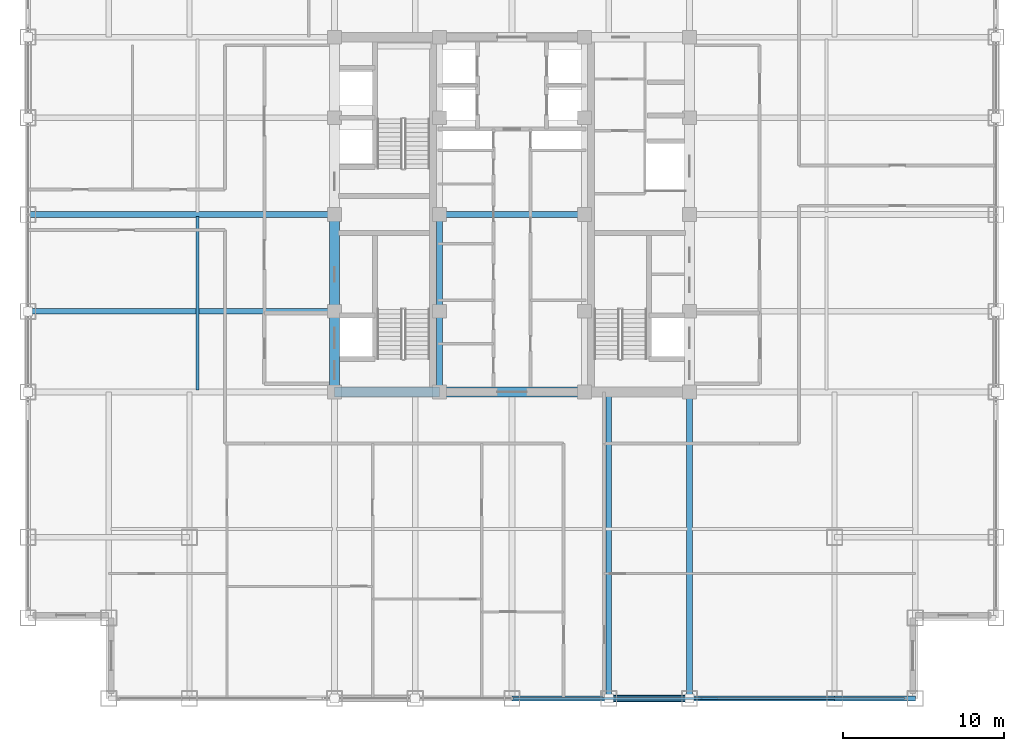
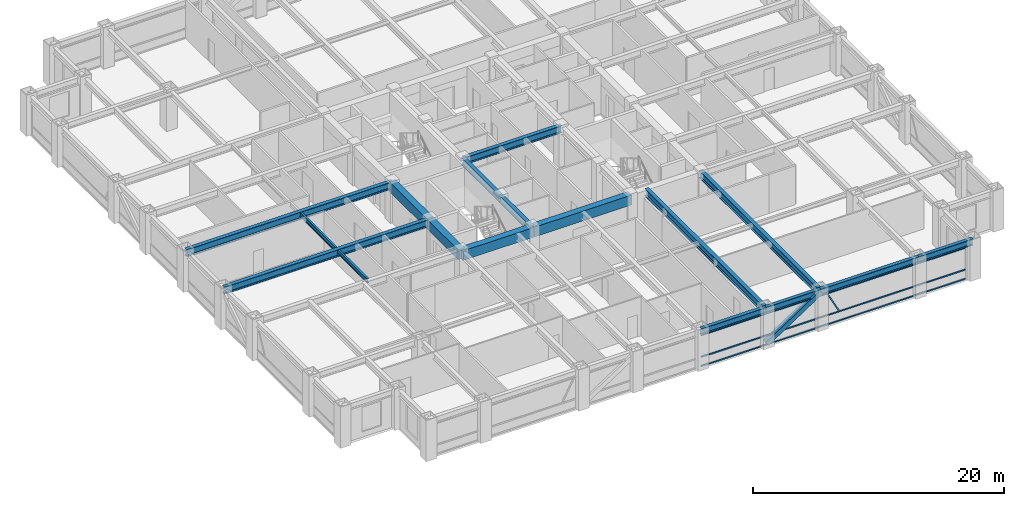
# One storey, part 7 of 24: 16 beams, 5 members, 1 element without a shape of its own.
"""IFC4 building model written with IfcOpenShell, lengths in metres."""

from ifc_helpers import new_model, si_unit, direction, frame, origin, origin_2d, place, context, subcontext, project, spatial, rectangle, hollow_rectangle, i_section, extrude, source, transform, mapped, material, material_profile, profile_set, type_object, element, aggregate, save


model = new_model("IFC4")

# Units and contexts
model_context = context("Model", 3, precision=1e-05, world=origin(), true_north=direction((0.0, 1.0)))
body_context = subcontext(model_context, "Body", "Model", "MODEL_VIEW")
ifc_project = project(units=[si_unit("LENGTHUNIT", "METRE"), si_unit("AREAUNIT", "SQUARE_METRE"), si_unit("VOLUMEUNIT", "CUBIC_METRE"), si_unit("PLANEANGLEUNIT", "RADIAN"), si_unit("MASSUNIT", "GRAM", prefix="KILO")], contexts=[model_context])

# Site, building, storey
site_placement = place(None, origin())
site = spatial("IfcSite", under=ifc_project, at=site_placement, CompositionType="ELEMENT")
building_placement = place(site_placement, origin())
building = spatial("IfcBuilding", under=site, at=building_placement, Name="Khorayat Bourse Tower", CompositionType="ELEMENT")
storey_placement = place(building_placement, frame((0.0, 0.0, 211.10009765625)))
storey = spatial("IfcBuildingStorey", under=building, at=storey_placement, Name="L49", CompositionType="ELEMENT", Elevation=211.10009765625)

# Beams
ifc_material_1 = material(Name="Steel ASTM A992 Grade 50", Category="steel")
ifc_material_profile_1 = material_profile(ifc_material_1, i_section(OverallWidth=0.35498046875, OverallDepth=0.695068359375, WebThickness=0.015380859375, FlangeThickness=0.02490234375, FilletRadius=0.01806640625, at=origin_2d()), Name="W690X217")
ifc_profile_set_1 = profile_set([ifc_material_profile_1], Name="Steel ASTM A992 Grade 50")
beam_type_1 = type_object("IfcBeamType", Name="BM-GIRD-690", PredefinedType="BEAM", material=ifc_profile_set_1)
shared_shape_1 = source(origin(), body_context, "Body", "SweptSolid", [
    extrude(i_section(OverallWidth=0.35498046875, OverallDepth=0.695068359375, WebThickness=0.015380859375, FlangeThickness=0.02490234375, FilletRadius=0.01806640625, at=origin_2d()), origin(), (0.0, 0.0, 1.0), 5.0),
])
beam_1_placement = place(storey_placement, frame((-4.5, -11.0, 3.432373046875), z_axis=(0.0, 1.0, 0.0), x_axis=(-1.0, 0.0, 0.0)))
element("IfcBeam", 1, at=beam_1_placement, inside=storey, type_object=beam_type_1, Name="L49 BM-GIRD-690 BM-L49-CRX-05", PredefinedType="BEAM", context=body_context, shape_type="MappedRepresentation", body=[
    mapped(shared_shape_1, transform((0.0, 0.0, 0.0), scale=1.0)),
])
shared_shape_2 = source(origin(), body_context, "Body", "SweptSolid", [
    extrude(i_section(OverallWidth=0.35498046875, OverallDepth=0.695068359375, WebThickness=0.015380859375, FlangeThickness=0.02490234375, FilletRadius=0.01806640625, at=origin_2d()), origin(), (0.0, 0.0, 1.0), 6.0),
])
beam_2_placement = place(storey_placement, frame((-4.5, -6.0, 3.432373046875), z_axis=(0.0, 1.0, 0.0), x_axis=(-1.0, 0.0, 0.0)))
element("IfcBeam", 2, at=beam_2_placement, inside=storey, type_object=beam_type_1, Name="L49 BM-GIRD-690 BM-L49-CRX-06", PredefinedType="BEAM", context=body_context, shape_type="MappedRepresentation", body=[
    mapped(shared_shape_2, transform((0.0, 0.0, 0.0), scale=1.0)),
])
shared_shape_3 = source(origin(), body_context, "Body", "SweptSolid", [
    extrude(i_section(OverallWidth=0.35498046875, OverallDepth=0.695068359375, WebThickness=0.015380859375, FlangeThickness=0.02490234375, FilletRadius=0.01806640625, at=origin_2d()), origin(), (0.0, 0.0, 1.0), 9.0),
])
beam_3_placement = place(storey_placement, frame((-4.5, 0.0, 3.432373046875), z_axis=(1.0, 0.0, 0.0), x_axis=(0.0, 1.0, 0.0)))
element("IfcBeam", 3, at=beam_3_placement, inside=storey, type_object=beam_type_1, Name="L49 BM-GIRD-690 BM-L49-CRY-23", PredefinedType="BEAM", context=body_context, shape_type="MappedRepresentation", body=[
    mapped(shared_shape_3, transform((0.0, 0.0, 0.0), scale=1.0)),
])
ifc_material_profile_2 = material_profile(ifc_material_1, i_section(OverallWidth=0.180908203125, OverallDepth=0.4169921875, WebThickness=0.010986328125, FlangeThickness=0.018310546875, FilletRadius=0.011962890625, at=origin_2d()), Name="W410X85")
ifc_profile_set_2 = profile_set([ifc_material_profile_2], Name="Steel ASTM A992 Grade 50")
beam_type_2 = type_object("IfcBeamType", Name="BM-JOIST-410", PredefinedType="JOIST", material=ifc_profile_set_2)
shared_shape_4 = source(origin(), body_context, "Body", "SweptSolid", [
    extrude(i_section(OverallWidth=0.180908203125, OverallDepth=0.4169921875, WebThickness=0.010986328125, FlangeThickness=0.018310546875, FilletRadius=0.011962890625, at=origin_2d()), origin(), (0.0, 0.0, 1.0), 10.740234375),
])
beam_4_placement = place(storey_placement, frame((-19.5, -10.8701171875, 3.5712890625), z_axis=(0.0, 1.0, 0.0), x_axis=(-1.0, 0.0, 0.0)))
element("IfcBeam", 4, at=beam_4_placement, inside=storey, type_object=beam_type_2, Name="L49 BM-JOIST-410 BM-L49-JSTY-102", PredefinedType="JOIST", context=body_context, shape_type="MappedRepresentation", body=[
    mapped(shared_shape_4, transform((0.0, 0.0, 0.0), scale=1.0)),
])
ifc_material_profile_3 = material_profile(ifc_material_1, i_section(OverallWidth=0.324951171875, OverallDepth=0.615966796875, WebThickness=0.013916015625, FlangeThickness=0.021484375, FilletRadius=0.01611328125, at=origin_2d()), Name="W610X174")
ifc_profile_set_3 = profile_set([ifc_material_profile_3], Name="Steel ASTM A992 Grade 50")
beam_type_3 = type_object("IfcBeamType", Name="BM-SPAN-610", PredefinedType="SPANDREL", material=ifc_profile_set_3)
shared_shape_5 = source(origin(), body_context, "Body", "SweptSolid", [
    extrude(i_section(OverallWidth=0.324951171875, OverallDepth=0.615966796875, WebThickness=0.013916015625, FlangeThickness=0.021484375, FilletRadius=0.01611328125, at=origin_2d()), origin(), (0.0, 0.0, 1.0), 9.0),
])
beam_5_placement = place(storey_placement, frame((11.0, -30.0, 3.471923828125), z_axis=(1.0, 0.0, 0.0), x_axis=(0.0, 1.0, 0.0)))
element("IfcBeam", 5, at=beam_5_placement, inside=storey, type_object=beam_type_3, Name="L49 BM-SPAN-610 BM-L49-SPN-030", PredefinedType="SPANDREL", context=body_context, shape_type="MappedRepresentation", body=[
    mapped(shared_shape_5, transform((0.0, 0.0, 0.0), scale=1.0)),
])
shared_shape_6 = source(origin(), body_context, "Body", "SweptSolid", [
    extrude(i_section(OverallWidth=0.324951171875, OverallDepth=0.615966796875, WebThickness=0.013916015625, FlangeThickness=0.021484375, FilletRadius=0.01611328125, at=origin_2d()), origin(), (0.0, 0.0, 1.0), 5.0),
])
for number, where, z_axis, x_axis, name in (
    (6, (6.0, -30.0, 3.471923828125), (1.0, 0.0, 0.0), (0.0, 1.0, 0.0), "L49 BM-SPAN-610 BM-L49-SPN-029"),
    (7, (20.0, -30.0, 3.471923828125), (1.0, 0.0, 0.0), (0.0, 1.0, 0.0), "L49 BM-SPAN-610 BM-L49-SPN-031"),
):
    element("IfcBeam", number, at=place(storey_placement, frame(where, z_axis=z_axis, x_axis=x_axis)), inside=storey, type_object=beam_type_3, Name=name, PredefinedType="SPANDREL", context=body_context, shape_type="MappedRepresentation", body=[
        mapped(shared_shape_6, transform((0.0, 0.0, 0.0), scale=1.0)),
    ])
shared_shape_7 = source(origin(), body_context, "Body", "SweptSolid", [
    extrude(i_section(OverallWidth=0.324951171875, OverallDepth=0.615966796875, WebThickness=0.013916015625, FlangeThickness=0.021484375, FilletRadius=0.01611328125, at=origin_2d()), origin(), (0.0, 0.0, 1.0), 6.0),
])
beam_6_placement = place(storey_placement, frame((0.0, -30.0, 3.471923828125), z_axis=(1.0, 0.0, 0.0), x_axis=(0.0, 1.0, 0.0)))
element("IfcBeam", 8, at=beam_6_placement, inside=storey, type_object=beam_type_3, Name="L49 BM-SPAN-610 BM-L49-SPN-028", PredefinedType="SPANDREL", context=body_context, shape_type="MappedRepresentation", body=[
    mapped(shared_shape_7, transform((0.0, 0.0, 0.0), scale=1.0)),
])
ifc_material_2 = material(Name="Concrete C60/75", Category="concrete")
ifc_material_profile_4 = material_profile(ifc_material_2, rectangle(XDim=0.60009765625, YDim=0.949951171875, at=origin_2d()), Name="RC 600x950")
ifc_profile_set_4 = profile_set([ifc_material_profile_4], Name="Concrete C60/75")
beam_type_4 = type_object("IfcBeamType", Name="BM-COUP-950", PredefinedType="BEAM", material=ifc_profile_set_4)
shared_shape_8 = source(origin(), body_context, "Body", "SweptSolid", [
    extrude(rectangle(XDim=0.60009765625, YDim=0.949951171875, at=origin_2d()), origin(), (0.0, 0.0, 1.0), 5.0),
])
beam_7_placement = place(storey_placement, frame((-11.0, -11.0, 3.304931640625), z_axis=(0.0, 1.0, 0.0), x_axis=(-1.0, 0.0, 0.0)))
element("IfcBeam", 9, at=beam_7_placement, inside=storey, type_object=beam_type_4, Name="L49 BM-COUP-950 BM-L49-CRX-01", PredefinedType="BEAM", context=body_context, shape_type="MappedRepresentation", body=[
    mapped(shared_shape_8, transform((0.0, 0.0, 0.0), scale=1.0)),
])
shared_shape_9 = source(origin(), body_context, "Body", "SweptSolid", [
    extrude(rectangle(XDim=0.60009765625, YDim=0.949951171875, at=origin_2d()), origin(), (0.0, 0.0, 1.0), 6.0),
])
beam_8_placement = place(storey_placement, frame((-11.0, -6.0, 3.304931640625), z_axis=(0.0, 1.0, 0.0), x_axis=(-1.0, 0.0, 0.0)))
element("IfcBeam", 10, at=beam_8_placement, inside=storey, type_object=beam_type_4, Name="L49 BM-COUP-950 BM-L49-CRX-02", PredefinedType="BEAM", context=body_context, shape_type="MappedRepresentation", body=[
    mapped(shared_shape_9, transform((0.0, 0.0, 0.0), scale=1.0)),
])
shared_shape_10 = source(origin(), body_context, "Body", "SweptSolid", [
    extrude(rectangle(XDim=0.60009765625, YDim=0.949951171875, at=origin_2d()), origin(), (0.0, 0.0, 1.0), 6.5),
])
beam_9_placement = place(storey_placement, frame((-11.0, -11.0, 3.304931640625), z_axis=(1.0, 0.0, 0.0), x_axis=(0.0, 1.0, 0.0)))
element("IfcBeam", 11, at=beam_9_placement, inside=storey, type_object=beam_type_4, Name="L49 BM-COUP-950 BM-L49-CRY-17", PredefinedType="BEAM", context=body_context, shape_type="MappedRepresentation", body=[
    mapped(shared_shape_10, transform((0.0, 0.0, 0.0), scale=1.0)),
])
shared_shape_11 = source(origin(), body_context, "Body", "SweptSolid", [
    extrude(rectangle(XDim=0.60009765625, YDim=0.949951171875, at=origin_2d()), origin(), (0.0, 0.0, 1.0), 9.0),
])
beam_10_placement = place(storey_placement, frame((-4.5, -11.0, 3.304931640625), z_axis=(1.0, 0.0, 0.0), x_axis=(0.0, 1.0, 0.0)))
element("IfcBeam", 12, at=beam_10_placement, inside=storey, type_object=beam_type_4, Name="L49 BM-COUP-950 BM-L49-CRY-18", PredefinedType="BEAM", context=body_context, shape_type="MappedRepresentation", body=[
    mapped(shared_shape_11, transform((0.0, 0.0, 0.0), scale=1.0)),
])
shared_shape_12 = source(origin(), body_context, "Body", "SweptSolid", [
    extrude(i_section(OverallWidth=0.35498046875, OverallDepth=0.695068359375, WebThickness=0.015380859375, FlangeThickness=0.02490234375, FilletRadius=0.01806640625, at=origin_2d()), origin(), (0.0, 0.0, 1.0), 19.0),
])
for number, where, z_axis, x_axis, name in (
    (13, (6.0, -30.0, 3.432373046875), (0.0, 1.0, 0.0), (-1.0, 0.0, 0.0), "L49 BM-GIRD-690 BM-L49-RADY-071"),
    (14, (11.0, -30.0, 3.432373046875), (0.0, 1.0, 0.0), (-1.0, 0.0, 0.0), "L49 BM-GIRD-690 BM-L49-RADY-073"),
    (15, (-30.0, -6.0, 3.432373046875), (1.0, 0.0, 0.0), (0.0, 1.0, 0.0), "L49 BM-GIRD-690 BM-L49-RADX-077"),
    (16, (-30.0, 0.0, 3.432373046875), (1.0, 0.0, 0.0), (0.0, 1.0, 0.0), "L49 BM-GIRD-690 BM-L49-RADX-079"),
):
    element("IfcBeam", number, at=place(storey_placement, frame(where, z_axis=z_axis, x_axis=x_axis)), inside=storey, type_object=beam_type_1, Name=name, PredefinedType="BEAM", context=body_context, shape_type="MappedRepresentation", body=[
        mapped(shared_shape_12, transform((0.0, 0.0, 0.0), scale=1.0)),
    ])

# Member
ifc_material_3 = material(Name="Steel EN 10025-4 S460M", Category="steel")
ifc_material_profile_5 = material_profile(ifc_material_3, hollow_rectangle(XDim=0.449951171875, YDim=0.449951171875, WallThickness=0.02490234375, at=origin_2d()), Name="HSS 450x450x25")
ifc_profile_set_5 = profile_set([ifc_material_profile_5], Name="Steel EN 10025-4 S460M")
member_type_1 = type_object("IfcMemberType", Name="MBR-TUBE-450", PredefinedType="BRACE", material=ifc_profile_set_5)
shared_shape_13 = source(origin(), body_context, "Body", "SweptSolid", [
    extrude(hollow_rectangle(XDim=0.449951171875, YDim=0.449951171875, WallThickness=0.02490234375, at=origin_2d()), origin(), (0.0, 0.0, 1.0), 5.979736328125),
])
member_1_placement = place(storey_placement, frame((6.0, -30.0, 0.25), z_axis=(0.836160261256, 0.0, 0.548485202623), x_axis=(0.0, 1.0, 0.0)))
element("IfcMember", 17, at=member_1_placement, inside=storey, type_object=member_type_1, Name="L49 Perimeter Tube Brace 02", PredefinedType="BRACE", context=body_context, shape_type="MappedRepresentation", body=[
    mapped(shared_shape_13, transform((0.0, 0.0, 0.0), scale=1.0)),
])

# Curtain wall, members
ifc_material_4 = material(Name="Aluminium EN AW-6063 T6", Category="aluminium")
curtain_wall_type = type_object("IfcCurtainWallType", Name="CW-SYS-03", PredefinedType="NOTDEFINED", material=ifc_material_4)
curtain_wall_placement = place(storey_placement, origin())
curtain_wall = element("IfcCurtainWall", 18, at=curtain_wall_placement, inside=storey, type_object=curtain_wall_type, Name="L49 Curtain Wall CW-L49-S1", PredefinedType="NOTDEFINED")
ifc_material_profile_6 = material_profile(ifc_material_4, hollow_rectangle(XDim=0.1201171875, YDim=0.1201171875, WallThickness=0.0048828125, at=origin_2d()), Name="ALU 120x120x5")
ifc_profile_set_6 = profile_set([ifc_material_profile_6], Name="Aluminium EN AW-6063 T6")
member_type_2 = type_object("IfcMemberType", Name="CWM-DIAG-120", PredefinedType="MULLION", material=ifc_profile_set_6)
shared_shape_14 = source(origin(), body_context, "Body", "SweptSolid", [
    extrude(hollow_rectangle(XDim=0.1201171875, YDim=0.1201171875, WallThickness=0.0048828125, at=origin_2d()), origin(), (0.0, 0.0, 1.0), 2.079345703125),
])
member_2_placement = place(storey_placement, frame((12.67919921875, -30.0, 1.08984375), z_axis=(-0.465760949701, 0.0, 0.884910581773), x_axis=(0.0, -1.0, 0.0)))
member_2 = element("IfcMember", 19, at=member_2_placement, type_object=member_type_2, Name="CW-L49-S1 Faceted Diagonal Mullion 2", PredefinedType="MULLION", context=body_context, shape_type="MappedRepresentation", body=[
    mapped(shared_shape_14, transform((0.0, 0.0, 0.0), scale=1.0)),
])
ifc_material_profile_7 = material_profile(ifc_material_4, hollow_rectangle(XDim=0.1201171875, YDim=0.1201171875, WallThickness=0.0048828125, at=origin_2d()), Name="ALU 120x120x5")
ifc_profile_set_7 = profile_set([ifc_material_profile_7], Name="Aluminium EN AW-6063 T6")
member_type_3 = type_object("IfcMemberType", Name="CWT-HORZ-120", PredefinedType="USERDEFINED", material=ifc_profile_set_7)
shared_shape_15 = source(origin(), body_context, "Body", "SweptSolid", [
    extrude(hollow_rectangle(XDim=0.1201171875, YDim=0.1201171875, WallThickness=0.0048828125, at=origin_2d()), origin(), (0.0, 0.0, 1.0), 24.27001953125),
])
member_3_placement = place(storey_placement, frame((0.06005859375, -30.0, 0.059814453125), z_axis=(1.0, 0.0, 0.0), x_axis=(0.0, 1.0, 0.0)))
member_3 = element("IfcMember", 20, at=member_3_placement, type_object=member_type_3, Name="CW-L49-S1 Horizontal Transom 2-1", ObjectType="TRANSOM", PredefinedType="USERDEFINED", context=body_context, shape_type="MappedRepresentation", body=[
    mapped(shared_shape_15, transform((0.0, 0.0, 0.0), scale=1.0)),
])
member_4_placement = place(storey_placement, frame((0.06005859375, -30.0, 0.949951171875), z_axis=(1.0, 0.0, 0.0), x_axis=(0.0, 1.0, 0.0)))
member_4 = element("IfcMember", 21, at=member_4_placement, type_object=member_type_3, Name="CW-L49-S1 Horizontal Transom 2-2", ObjectType="TRANSOM", PredefinedType="USERDEFINED", context=body_context, shape_type="MappedRepresentation", body=[
    mapped(shared_shape_15, transform((0.0, 0.0, 0.0), scale=1.0)),
])
member_5_placement = place(storey_placement, frame((0.06005859375, -30.0, 3.06982421875), z_axis=(1.0, 0.0, 0.0), x_axis=(0.0, 1.0, 0.0)))
member_5 = element("IfcMember", 22, at=member_5_placement, type_object=member_type_3, Name="CW-L49-S1 Horizontal Transom 2-3", ObjectType="TRANSOM", PredefinedType="USERDEFINED", context=body_context, shape_type="MappedRepresentation", body=[
    mapped(shared_shape_15, transform((0.0, 0.0, 0.0), scale=1.0)),
])
aggregate(curtain_wall, [member_3, member_4, member_5, member_2])

save(model, "model.ifc")
